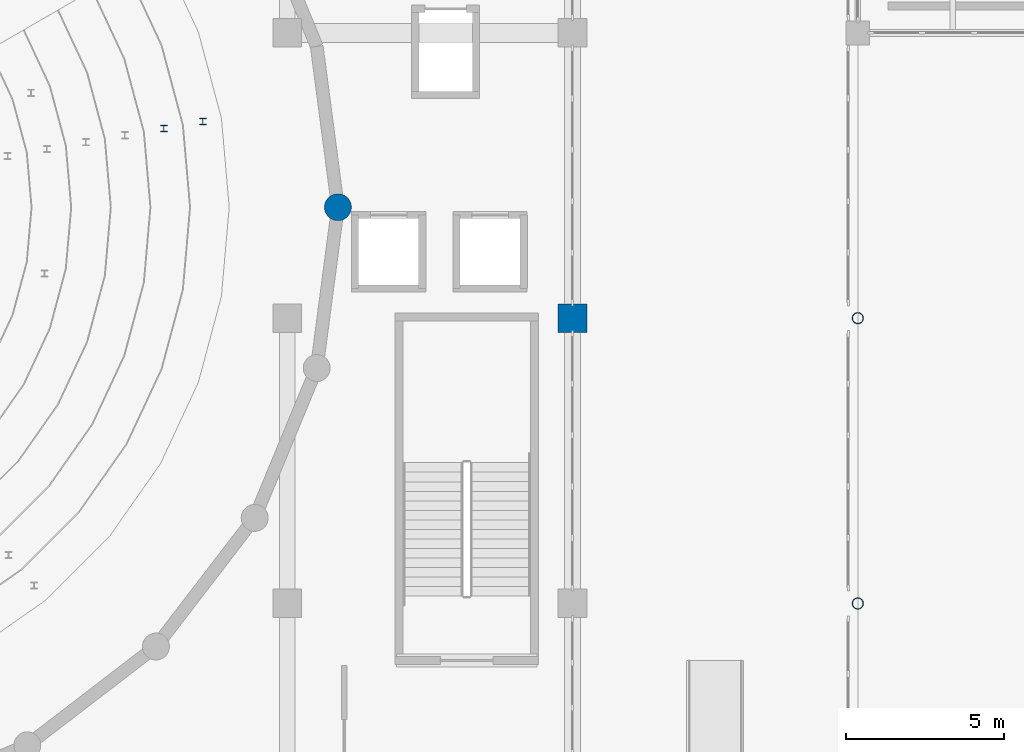
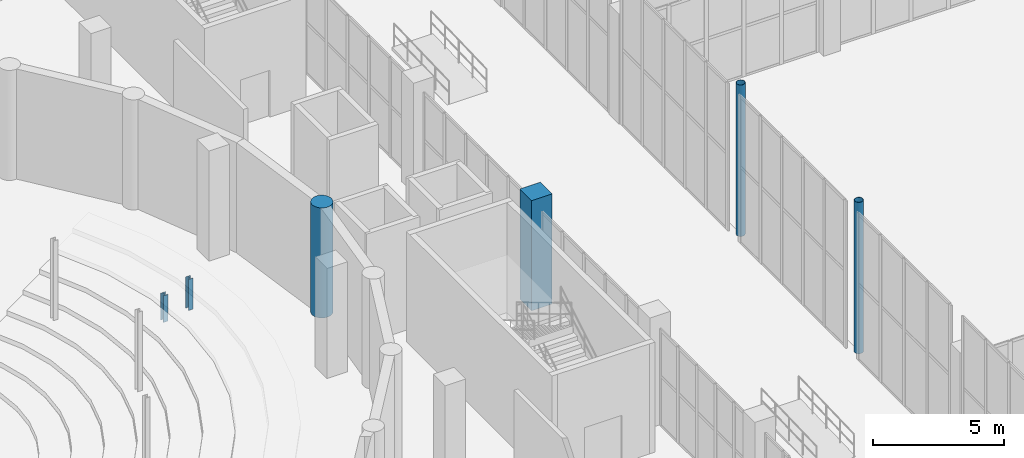
# One storey, part 17 of 103: 6 columns.
"""IFC4 building model written with IfcOpenShell, lengths in metres."""

import ifcopenshell
import ifcopenshell.guid

model = None  # the IFC model being written
_history = None  # IfcOwnerHistory: only IFC2X3 demands one
_inside = {}  # id of a spatial element -> (the spatial element, [elements in it])
_under = {}  # id of a project, library or spatial element -> (it, [spatial elements below it])
_declared = {}  # id of a project -> (the project, [libraries it declares])
_typed = {}  # id of a type object -> (the type object, [elements of that type])
_made_of = {}  # id of a material, layer set ... -> (it, [elements and type objects made of it])


def new_model(schema):
    """Start an empty IFC model of exactly this schema.

    Asked for "IFC4X3", IfcOpenShell would pick the latest addendum, in which some entities
    have other attributes; the version numbers below select the first issue.
    IFC2X3 requires an IfcOwnerHistory on every rooted entity: one is made here for all.
    """
    global model, _history
    if schema == "IFC4X3":
        model = ifcopenshell.file(schema_version=(4, 3, 0, 0))
    else:
        model = ifcopenshell.file(schema=schema)
    _inside.clear()
    _under.clear()
    _declared.clear()
    _typed.clear()
    _made_of.clear()
    _history = None
    if model.schema == "IFC2X3":
        org = make("IfcOrganization", Name="unknown")
        user = make(
            "IfcPersonAndOrganization",
            ThePerson=make("IfcPerson", FamilyName="unknown"),
            TheOrganization=org,
        )
        app = make(
            "IfcApplication",
            ApplicationDeveloper=org,
            Version="unknown",
            ApplicationFullName="unknown",
            ApplicationIdentifier="unknown",
        )
        _history = make(
            "IfcOwnerHistory",
            OwningUser=user,
            OwningApplication=app,
            ChangeAction="ADDED",
            CreationDate=0,
        )
    return model


def make(cls, **values):
    """One entity of the class cls with the attributes given. An attribute that is None is left unset."""
    return model.create_entity(
        cls, **{name: value for name, value in values.items() if value is not None}
    )


def rooted(cls, **values):
    """An entity with a GlobalId (a new one), such as an element, a storey or a relation."""
    return make(cls, GlobalId=ifcopenshell.guid.new(), OwnerHistory=_history, **values)


def si_unit(unit_type, name, prefix=None):
    """IfcSIUnit, for example si_unit("LENGTHUNIT", "METRE", prefix="MILLI")."""
    return make("IfcSIUnit", UnitType=unit_type, Prefix=prefix, Name=name)


def assignment(units):
    """IfcUnitAssignment: the units of a project."""
    return None if units is None else make("IfcUnitAssignment", Units=units)


def point(xyz):
    """IfcCartesianPoint."""
    return None if xyz is None else make("IfcCartesianPoint", Coordinates=xyz)


def direction(xyz):
    """IfcDirection."""
    return None if xyz is None else make("IfcDirection", DirectionRatios=xyz)


def frame(location, z_axis=None, x_axis=None):
    """IfcAxis2Placement3D, a coordinate frame: its origin and axes. An axis left out is left unset."""
    return make(
        "IfcAxis2Placement3D",
        Location=point(location),
        Axis=direction(z_axis),
        RefDirection=direction(x_axis),
    )


def frame_2d(location, x_axis=None):
    """IfcAxis2Placement2D, a coordinate frame in the plane: its origin and x axis."""
    return make(
        "IfcAxis2Placement2D", Location=point(location), RefDirection=direction(x_axis)
    )


def origin():
    """The frame at (0, 0, 0) with its axes left unset."""
    return frame((0.0, 0.0, 0.0))


def origin_2d():
    """The frame at (0, 0) in the plane with its x axis left unset."""
    return frame_2d((0.0, 0.0))


def place(relative_to, where):
    """IfcLocalPlacement: puts the frame where relative to a parent placement (None: the world)."""
    return make(
        "IfcLocalPlacement", PlacementRelTo=relative_to, RelativePlacement=where
    )


def context(
    kind, dimensions, precision=None, world=None, true_north=None, identifier=None
):
    """IfcGeometricRepresentationContext, for example the 3D "Model" context."""
    return make(
        "IfcGeometricRepresentationContext",
        ContextIdentifier=identifier,
        ContextType=kind,
        CoordinateSpaceDimension=dimensions,
        Precision=precision,
        WorldCoordinateSystem=world,
        TrueNorth=true_north,
    )


def subcontext(parent, identifier, kind, view, scale=None):
    """IfcGeometricRepresentationSubContext, for example "Body" below "Model"."""
    return make(
        "IfcGeometricRepresentationSubContext",
        ContextIdentifier=identifier,
        ContextType=kind,
        ParentContext=parent,
        TargetScale=scale,
        TargetView=view,
    )


def project(units=None, contexts=None):
    """IfcProject with its units and contexts."""
    return rooted(
        "IfcProject",
        Name="project",
        RepresentationContexts=contexts,
        UnitsInContext=assignment(units),
    )


def spatial(cls, under=None, at=None, **own):
    """A site, building, storey or space (cls), placed at a placement, below another one or the project."""
    s = rooted(cls, ObjectPlacement=at, **own)
    if under is not None:
        _under.setdefault(under.id(), (under, []))[1].append(s)
    return s


def profile(cls, at=None, kind="AREA", **sizes):
    """A parametric profile (cls). Its sizes go by their IFC names, for example OverallWidth=200.0."""
    return make(cls, ProfileType=kind, Position=at, **sizes)


def rectangle(**sizes):
    """IfcRectangleProfileDef."""
    return profile("IfcRectangleProfileDef", **sizes)


def circle(**sizes):
    """IfcCircleProfileDef."""
    return profile("IfcCircleProfileDef", **sizes)


def hollow_circle(**sizes):
    """IfcCircleHollowProfileDef."""
    return profile("IfcCircleHollowProfileDef", **sizes)


def i_section(**sizes):
    """IfcIShapeProfileDef."""
    return profile("IfcIShapeProfileDef", **sizes)


def extrude(swept, where, along, depth):
    """IfcExtrudedAreaSolid: the profile swept, set in the frame where, extruded along a direction by depth."""
    return make(
        "IfcExtrudedAreaSolid",
        SweptArea=swept,
        Position=where,
        ExtrudedDirection=direction(along),
        Depth=depth,
    )


def shape(context_of_items, identifier, shape_type, items):
    """IfcShapeRepresentation: the items that make up one representation, for example the "Body"."""
    return make(
        "IfcShapeRepresentation",
        ContextOfItems=context_of_items,
        RepresentationIdentifier=identifier,
        RepresentationType=shape_type,
        Items=items,
    )


def material(Name=None, Category=None):
    """IfcMaterial."""
    return make("IfcMaterial", Name=Name, Category=Category)


def material_profile(
    of_material, cross_section, Name=None, Category=None, Priority=None
):
    """IfcMaterialProfile: a cross section and its material."""
    return make(
        "IfcMaterialProfile",
        Name=Name,
        Material=of_material,
        Profile=cross_section,
        Priority=Priority,
        Category=Category,
    )


def profile_set(profiles, Name=None, composite=None):
    """IfcMaterialProfileSet."""
    return make(
        "IfcMaterialProfileSet",
        Name=Name,
        MaterialProfiles=profiles,
        CompositeProfile=composite,
    )


def made_of(thing, what):
    """Note that an element or type object is made of a material, layer set ...; save() writes the relation."""
    if what is not None:
        _made_of.setdefault(what.id(), (what, []))[1].append(thing)
    return thing


def type_object(cls, material=None, **own):
    """A type object (cls), such as IfcWallType, which elements share."""
    return made_of(rooted(cls, **own), material)


def element(
    cls,
    number,
    at=None,
    inside=None,
    cuts=None,
    type_object=None,
    material=None,
    context=None,
    identifier="Body",
    shape_type=None,
    held_by="IfcProductDefinitionShape",
    body=None,
    shapes=None,
    **own,
):
    """One element of the class cls, such as IfcWall. Its Tag is "e" and its number.

    at: its placement. inside: the storey or other place that contains it. cuts: it is an
    opening in that element (IfcRelVoidsElement). A single representation is given by context,
    identifier, shape_type and body (its items); several are given by shapes. held_by: the class
    of the entity that holds the representations. save() writes the other relations.
    """
    e = rooted(cls, Tag="e%d" % number, ObjectPlacement=at, **own)
    if body is not None:
        shapes = [shape(context, identifier, shape_type, body)]
    if shapes is not None:
        e.Representation = make(held_by, Representations=shapes)
    if inside is not None:
        _inside.setdefault(inside.id(), (inside, []))[1].append(e)
    if cuts is not None:
        rooted(
            "IfcRelVoidsElement", RelatingBuildingElement=cuts, RelatedOpeningElement=e
        )
    if type_object is not None:
        _typed.setdefault(type_object.id(), (type_object, []))[1].append(e)
    return made_of(e, material)


def aggregate(whole, parts):
    """IfcRelAggregates: a whole, such as a stair, and the parts it consists of."""
    return rooted("IfcRelAggregates", RelatingObject=whole, RelatedObjects=parts)


def save(model, path):
    """Write the relations noted so far, then the file.

    IfcRelAggregates (storeys below a building ...), IfcRelContainedInSpatialStructure (elements
    in a storey), IfcRelDefinesByType, IfcRelAssociatesMaterial and IfcRelDeclares: one each for
    every whole, place, type object, material and project.
    """
    for whole, parts in _under.values():
        aggregate(whole, parts)
    for where, things in _inside.values():
        rooted(
            "IfcRelContainedInSpatialStructure",
            RelatedElements=things,
            RelatingStructure=where,
        )
    for kind, things in _typed.values():
        rooted("IfcRelDefinesByType", RelatedObjects=things, RelatingType=kind)
    for what, things in _made_of.values():
        rooted("IfcRelAssociatesMaterial", RelatedObjects=things, RelatingMaterial=what)
    for by, libraries in _declared.values():
        rooted("IfcRelDeclares", RelatingContext=by, RelatedDefinitions=libraries)
    model.write(path)


model = new_model("IFC4")

# Units and contexts
model_context = context("Model", 3, precision=1e-05, world=origin(), true_north=direction((0.0, 1.0)))
body_context = subcontext(model_context, "Body", "Model", "MODEL_VIEW")
ifc_project = project(units=[si_unit("LENGTHUNIT", "METRE"), si_unit("AREAUNIT", "SQUARE_METRE"), si_unit("VOLUMEUNIT", "CUBIC_METRE"), si_unit("PLANEANGLEUNIT", "RADIAN"), si_unit("MASSUNIT", "GRAM", prefix="KILO")], contexts=[model_context])

# Site, building, storey
site_placement = place(None, origin())
site = spatial("IfcSite", under=ifc_project, at=site_placement, CompositionType="ELEMENT")
building_placement = place(site_placement, origin())
building = spatial("IfcBuilding", under=site, at=building_placement, Name="Marnock Terrace Opera House", CompositionType="ELEMENT")
storey_placement = place(building_placement, origin())
storey = spatial("IfcBuildingStorey", under=building, at=storey_placement, Name="L00", CompositionType="ELEMENT", Elevation=0.0)

# Columns
ifc_material_1 = material(Name="Cold-formed Steel Grade C350L0 (AS/NZS 1163)", Category="steel")
ifc_material_profile_1 = material_profile(ifc_material_1, hollow_circle(Radius=0.177734375, WallThickness=0.0126953125, at=origin_2d()))
ifc_profile_set_1 = profile_set([ifc_material_profile_1], Name="Cold-formed Steel Grade C350L0 (AS/NZS 1163)")
column_type_1 = type_object("IfcColumnType", Name="COL-CANOPY-CHS", PredefinedType="COLUMN", material=ifc_profile_set_1)
for number, where, z_axis, x_axis, name in (
    (1, (118.0, 48.0, 0.0), (0.0, 0.0, 1.0), (1.0, 0.0, 0.0), "L00 column at (118.0, 48.0)"),
    (2, (118.0, 57.0, 0.0), (0.0, 0.0, 1.0), (1.0, 0.0, 0.0), "L00 column at (118.0, 57.0)"),
):
    element("IfcColumn", number, at=place(storey_placement, frame(where, z_axis=z_axis, x_axis=x_axis)), inside=storey, type_object=column_type_1, Name=name, PredefinedType="COLUMN", context=body_context, shape_type="SweptSolid", body=[
        extrude(hollow_circle(Radius=0.177734375, WallThickness=0.0126953125, at=origin_2d()), origin(), (0.0, 0.0, 1.0), 7.0400390625),
    ])
ifc_material_2 = material(Name="Concrete N50 (f'c = 50 MPa)", Category="concrete")
ifc_material_profile_2 = material_profile(ifc_material_2, circle(Radius=0.425048828125, at=origin_2d()))
ifc_profile_set_2 = profile_set([ifc_material_profile_2], Name="Concrete N50 (f'c = 50 MPa)")
column_type_2 = type_object("IfcColumnType", Name="COL-DRUM-850", PredefinedType="COLUMN", material=ifc_profile_set_2)
column_1_placement = place(storey_placement, frame((101.60009765625, 60.5, 0.0), z_axis=(0.0, 0.0, 1.0), x_axis=(1.0, 0.0, 0.0)))
element("IfcColumn", 3, at=column_1_placement, inside=storey, type_object=column_type_2, Name="L00 auditorium drum pier 1", PredefinedType="COLUMN", context=body_context, shape_type="SweptSolid", body=[
    extrude(circle(Radius=0.425048828125, at=origin_2d()), origin(), (0.0, 0.0, 1.0), 5.1201171875),
])
ifc_material_profile_3 = material_profile(ifc_material_2, rectangle(XDim=0.89990234375, YDim=0.89990234375, at=origin_2d()))
ifc_profile_set_3 = profile_set([ifc_material_profile_3], Name="Concrete N50 (f'c = 50 MPa)")
column_type_3 = type_object("IfcColumnType", Name="COL-RC900", PredefinedType="COLUMN", material=ifc_profile_set_3)
column_2_placement = place(storey_placement, frame((109.0, 57.0, 0.0), z_axis=(0.0, 0.0, 1.0), x_axis=(1.0, 0.0, 0.0)))
element("IfcColumn", 4, at=column_2_placement, inside=storey, type_object=column_type_3, Name="L00 column at (109.0, 57.0)", PredefinedType="COLUMN", context=body_context, shape_type="SweptSolid", body=[
    extrude(rectangle(XDim=0.89990234375, YDim=0.89990234375, at=origin_2d()), origin(), (0.0, 0.0, 1.0), 5.1201171875),
])
ifc_material_3 = material(Name="Steel Grade 350 (AS/NZS 3679.1)", Category="steel")
ifc_material_profile_4 = material_profile(ifc_material_3, i_section(OverallWidth=0.205078125, OverallDepth=0.209716796875, WebThickness=0.00927734375, FlangeThickness=0.01416015625, FilletRadius=0.011474609375, at=origin_2d()))
ifc_profile_set_4 = profile_set([ifc_material_profile_4], Name="Steel Grade 350 (AS/NZS 3679.1)")
column_type_4 = type_object("IfcColumnType", Name="COL-UC200", PredefinedType="COLUMN", material=ifc_profile_set_4)
column_3_placement = place(storey_placement, frame((96.107421875, 62.987548828125, 0.0), z_axis=(0.0, 0.0, 1.0), x_axis=(1.0, 0.0, 0.0)))
element("IfcColumn", 5, at=column_3_placement, inside=storey, type_object=column_type_4, Name="L00 Stalls tier 7 support post 22", PredefinedType="COLUMN", context=body_context, shape_type="SweptSolid", body=[
    extrude(i_section(OverallWidth=0.205078125, OverallDepth=0.209716796875, WebThickness=0.00927734375, FlangeThickness=0.01416015625, FilletRadius=0.011474609375, at=origin_2d()), origin(), (0.0, 0.0, 1.0), 1.2451171875),
])
column_4_placement = place(storey_placement, frame((97.33837890625, 63.20458984375, 0.0), z_axis=(0.0, 0.0, 1.0), x_axis=(1.0, 0.0, 0.0)))
element("IfcColumn", 6, at=column_4_placement, inside=storey, type_object=column_type_4, Name="L00 Stalls tier 8 support post 22", PredefinedType="COLUMN", context=body_context, shape_type="SweptSolid", body=[
    extrude(i_section(OverallWidth=0.205078125, OverallDepth=0.209716796875, WebThickness=0.00927734375, FlangeThickness=0.01416015625, FilletRadius=0.011474609375, at=origin_2d()), origin(), (0.0, 0.0, 1.0), 1.445068359375),
])

save(model, "model.ifc")
